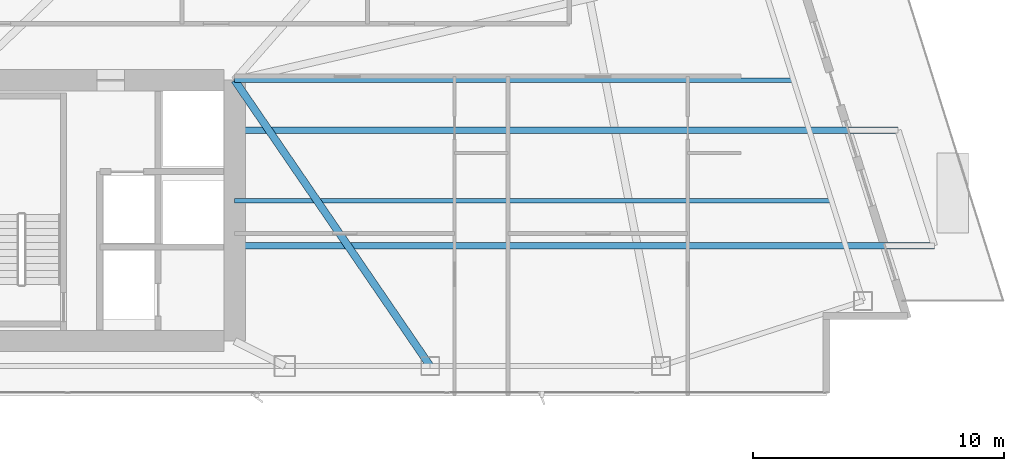
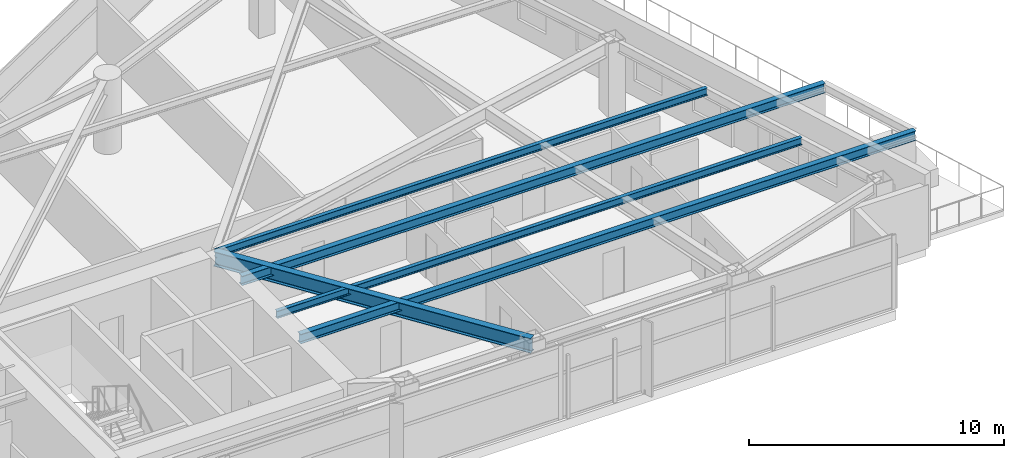
# One storey, part 13 of 28: 5 beams.
"""IFC4 building model written with IfcOpenShell, lengths in metres."""

from ifc_helpers import new_model, si_unit, direction, frame, origin, origin_2d, place, context, subcontext, project, spatial, i_section, extrude, material, material_profile, profile_set, type_object, element, save


model = new_model("IFC4")

# Units and contexts
model_context = context("Model", 3, precision=1e-05, world=origin(), true_north=direction((0.0, 1.0)))
body_context = subcontext(model_context, "Body", "Model", "MODEL_VIEW")
ifc_project = project(units=[si_unit("LENGTHUNIT", "METRE"), si_unit("AREAUNIT", "SQUARE_METRE"), si_unit("VOLUMEUNIT", "CUBIC_METRE"), si_unit("PLANEANGLEUNIT", "RADIAN"), si_unit("MASSUNIT", "GRAM", prefix="KILO")], contexts=[model_context])

# Site, building, storey
site_placement = place(None, origin())
site = spatial("IfcSite", under=ifc_project, at=site_placement, CompositionType="ELEMENT")
building_placement = place(site_placement, origin())
building = spatial("IfcBuilding", under=site, at=building_placement, Name="Calvorn Quay Hotel", CompositionType="ELEMENT")
storey_placement = place(building_placement, frame((0.0, 0.0, 97.39990234375)))
storey = spatial("IfcBuildingStorey", under=building, at=storey_placement, Name="L23", CompositionType="ELEMENT", Elevation=97.39990234375)

# Beams
ifc_material_1 = material(Name="Steel Q355B", Category="steel")
ifc_material_profile_1 = material_profile(ifc_material_1, i_section(OverallWidth=0.25, OverallDepth=0.449951171875, WebThickness=0.011962890625, FlangeThickness=0.01611328125, FilletRadius=0.01611328125, at=origin_2d()), Name="HN450x250x12x16")
ifc_profile_set_1 = profile_set([ifc_material_profile_1], Name="Steel Q355B")
beam_type_1 = type_object("IfcBeamType", Name="BM-CANT-BALC", PredefinedType="BEAM", material=ifc_profile_set_1)
beam_1_placement = place(storey_placement, frame((32.39990234375, 8.39990234375, 3.315185546875), z_axis=(1.0, 0.0, 0.0), x_axis=(0.0, 1.0, 0.0)))
element("IfcBeam", 1, at=beam_1_placement, inside=storey, type_object=beam_type_1, Name="Cantilever Balcony Beam BCB-L24-1A", PredefinedType="BEAM", context=body_context, shape_type="SweptSolid", body=[
    extrude(i_section(OverallWidth=0.25, OverallDepth=0.449951171875, WebThickness=0.011962890625, FlangeThickness=0.01611328125, FilletRadius=0.01611328125, at=origin_2d()), origin(), (0.0, 0.0, 1.0), 27.908203125),
])
beam_2_placement = place(storey_placement, frame((32.39990234375, 13.0, 3.315185546875), z_axis=(1.0, 0.0, 0.0), x_axis=(0.0, 1.0, 0.0)))
element("IfcBeam", 2, at=beam_2_placement, inside=storey, type_object=beam_type_1, Name="Cantilever Balcony Beam BCB-L24-1B", PredefinedType="BEAM", context=body_context, shape_type="SweptSolid", body=[
    extrude(i_section(OverallWidth=0.25, OverallDepth=0.449951171875, WebThickness=0.011962890625, FlangeThickness=0.01611328125, FilletRadius=0.01611328125, at=origin_2d()), origin(), (0.0, 0.0, 1.0), 26.4580078125),
])
ifc_material_2 = material(Name="Steel Q390GJC", Category="steel")
ifc_material_profile_2 = material_profile(ifc_material_2, i_section(OverallWidth=0.300048828125, OverallDepth=0.699951171875, WebThickness=0.012939453125, FlangeThickness=0.02392578125, FilletRadius=0.02392578125, at=origin_2d()), Name="HN700x300x13x24")
ifc_profile_set_2 = profile_set([ifc_material_profile_2], Name="Steel Q390GJC")
beam_type_2 = type_object("IfcBeamType", Name="BM-GIRD-MAIN", PredefinedType="BEAM", material=ifc_profile_set_2)
beam_3_placement = place(storey_placement, frame((40.199951171875, 3.60009765625, 3.190185546875), z_axis=(-0.564689618177, 0.825303359452, 0.0), x_axis=(-0.825303359452, -0.564689618177, 0.0)))
element("IfcBeam", 3, at=beam_3_placement, inside=storey, type_object=beam_type_2, Name="Beam BG-L23-E6", PredefinedType="BEAM", context=body_context, shape_type="SweptSolid", body=[
    extrude(i_section(OverallWidth=0.300048828125, OverallDepth=0.699951171875, WebThickness=0.012939453125, FlangeThickness=0.02392578125, FilletRadius=0.02392578125, at=origin_2d()), origin(), (0.0, 0.0, 1.0), 13.81298828125),
])
ifc_material_3 = material(Name="Steel Q355B", Category="steel")
ifc_material_profile_3 = material_profile(ifc_material_3, i_section(OverallWidth=0.175048828125, OverallDepth=0.35009765625, WebThickness=0.007080078125, FlangeThickness=0.010986328125, FilletRadius=0.013916015625, at=origin_2d()), Name="HN350x175x7x11")
ifc_profile_set_3 = profile_set([ifc_material_profile_3], Name="Steel Q355B")
beam_type_3 = type_object("IfcBeamType", Name="BM-JOIST-SEC", PredefinedType="JOIST", material=ifc_profile_set_3)
beam_4_placement = place(storey_placement, frame((32.39990234375, 10.199951171875, 3.364990234375), z_axis=(1.0, 0.0, 0.0), x_axis=(0.0, 1.0, 0.0)))
element("IfcBeam", 4, at=beam_4_placement, inside=storey, type_object=beam_type_3, Name="Beam BJ-L23-E1", PredefinedType="JOIST", context=body_context, shape_type="SweptSolid", body=[
    extrude(i_section(OverallWidth=0.175048828125, OverallDepth=0.35009765625, WebThickness=0.007080078125, FlangeThickness=0.010986328125, FilletRadius=0.013916015625, at=origin_2d()), origin(), (0.0, 0.0, 1.0), 23.801025390625),
])
beam_5_placement = place(storey_placement, frame((32.39990234375, 15.0, 3.364990234375), z_axis=(1.0, 0.0, 0.0), x_axis=(0.0, 1.0, 0.0)))
element("IfcBeam", 5, at=beam_5_placement, inside=storey, type_object=beam_type_3, Name="Beam BJ-L23-E2", PredefinedType="JOIST", context=body_context, shape_type="SweptSolid", body=[
    extrude(i_section(OverallWidth=0.175048828125, OverallDepth=0.35009765625, WebThickness=0.007080078125, FlangeThickness=0.010986328125, FilletRadius=0.013916015625, at=origin_2d()), origin(), (0.0, 0.0, 1.0), 22.2880859375),
])

save(model, "model.ifc")
